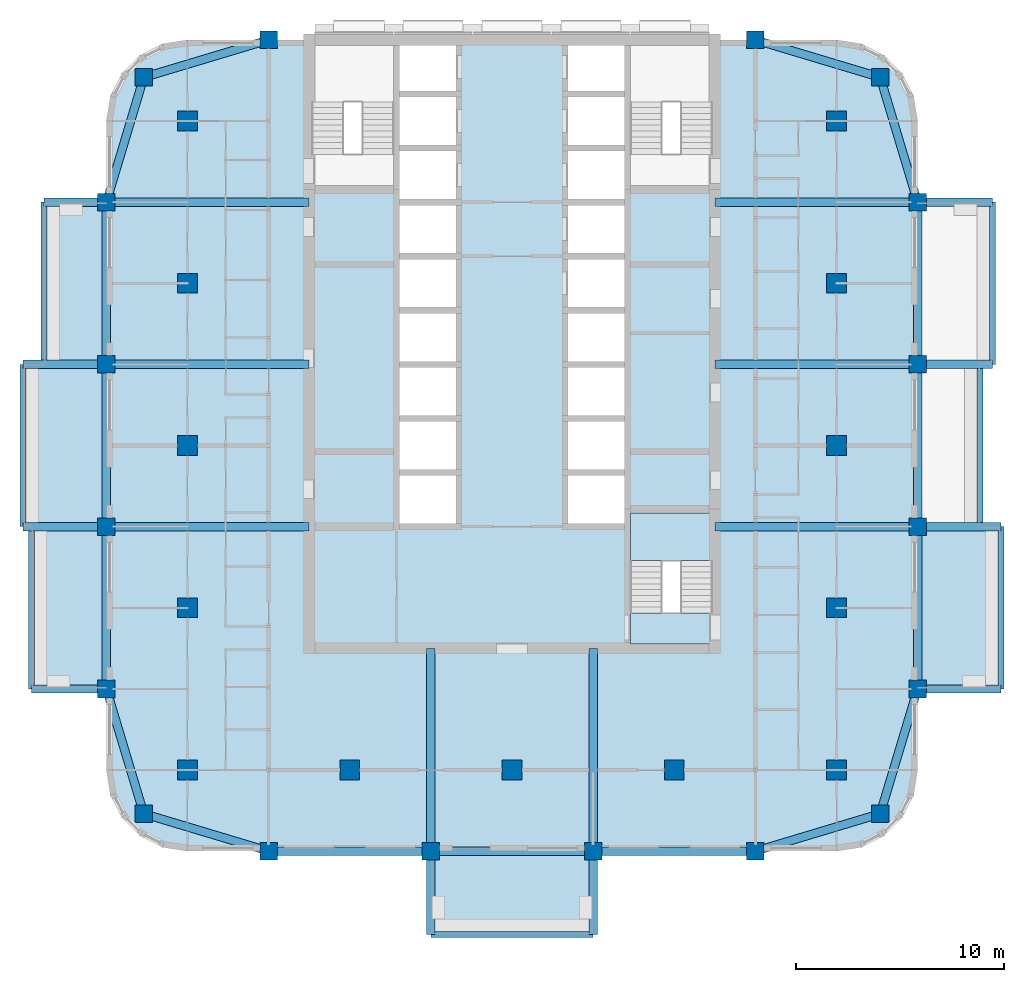
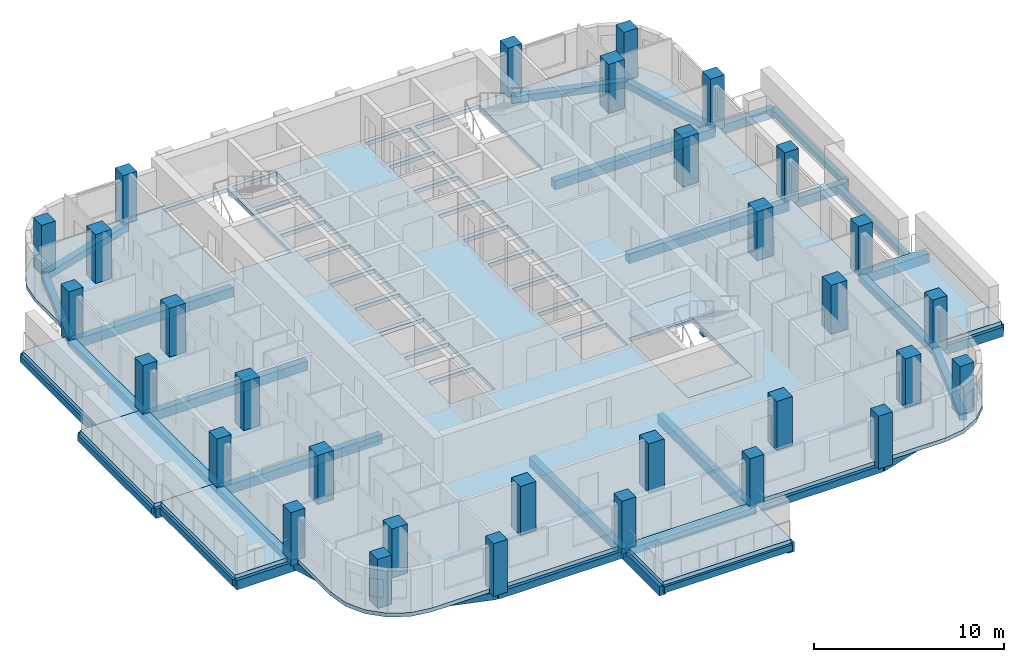
# One storey, part 1 of 12: 42 beams, 31 columns, 8 slabs, 1 element without a shape of its own.
"""IFC4 building model written with IfcOpenShell, lengths in metres."""

import ifcopenshell
import ifcopenshell.guid

model = None  # the IFC model being written
_history = None  # IfcOwnerHistory: only IFC2X3 demands one
_inside = {}  # id of a spatial element -> (the spatial element, [elements in it])
_under = {}  # id of a project, library or spatial element -> (it, [spatial elements below it])
_declared = {}  # id of a project -> (the project, [libraries it declares])
_typed = {}  # id of a type object -> (the type object, [elements of that type])
_made_of = {}  # id of a material, layer set ... -> (it, [elements and type objects made of it])


def new_model(schema):
    """Start an empty IFC model of exactly this schema.

    Asked for "IFC4X3", IfcOpenShell would pick the latest addendum, in which some entities
    have other attributes; the version numbers below select the first issue.
    IFC2X3 requires an IfcOwnerHistory on every rooted entity: one is made here for all.
    """
    global model, _history
    if schema == "IFC4X3":
        model = ifcopenshell.file(schema_version=(4, 3, 0, 0))
    else:
        model = ifcopenshell.file(schema=schema)
    _inside.clear()
    _under.clear()
    _declared.clear()
    _typed.clear()
    _made_of.clear()
    _history = None
    if model.schema == "IFC2X3":
        org = make("IfcOrganization", Name="unknown")
        user = make(
            "IfcPersonAndOrganization",
            ThePerson=make("IfcPerson", FamilyName="unknown"),
            TheOrganization=org,
        )
        app = make(
            "IfcApplication",
            ApplicationDeveloper=org,
            Version="unknown",
            ApplicationFullName="unknown",
            ApplicationIdentifier="unknown",
        )
        _history = make(
            "IfcOwnerHistory",
            OwningUser=user,
            OwningApplication=app,
            ChangeAction="ADDED",
            CreationDate=0,
        )
    return model


def make(cls, **values):
    """One entity of the class cls with the attributes given. An attribute that is None is left unset."""
    return model.create_entity(
        cls, **{name: value for name, value in values.items() if value is not None}
    )


def rooted(cls, **values):
    """An entity with a GlobalId (a new one), such as an element, a storey or a relation."""
    return make(cls, GlobalId=ifcopenshell.guid.new(), OwnerHistory=_history, **values)


def si_unit(unit_type, name, prefix=None):
    """IfcSIUnit, for example si_unit("LENGTHUNIT", "METRE", prefix="MILLI")."""
    return make("IfcSIUnit", UnitType=unit_type, Prefix=prefix, Name=name)


def assignment(units):
    """IfcUnitAssignment: the units of a project."""
    return None if units is None else make("IfcUnitAssignment", Units=units)


def point(xyz):
    """IfcCartesianPoint."""
    return None if xyz is None else make("IfcCartesianPoint", Coordinates=xyz)


def direction(xyz):
    """IfcDirection."""
    return None if xyz is None else make("IfcDirection", DirectionRatios=xyz)


def frame(location, z_axis=None, x_axis=None):
    """IfcAxis2Placement3D, a coordinate frame: its origin and axes. An axis left out is left unset."""
    return make(
        "IfcAxis2Placement3D",
        Location=point(location),
        Axis=direction(z_axis),
        RefDirection=direction(x_axis),
    )


def frame_2d(location, x_axis=None):
    """IfcAxis2Placement2D, a coordinate frame in the plane: its origin and x axis."""
    return make(
        "IfcAxis2Placement2D", Location=point(location), RefDirection=direction(x_axis)
    )


def origin():
    """The frame at (0, 0, 0) with its axes left unset."""
    return frame((0.0, 0.0, 0.0))


def origin_2d():
    """The frame at (0, 0) in the plane with its x axis left unset."""
    return frame_2d((0.0, 0.0))


def place(relative_to, where):
    """IfcLocalPlacement: puts the frame where relative to a parent placement (None: the world)."""
    return make(
        "IfcLocalPlacement", PlacementRelTo=relative_to, RelativePlacement=where
    )


def context(
    kind, dimensions, precision=None, world=None, true_north=None, identifier=None
):
    """IfcGeometricRepresentationContext, for example the 3D "Model" context."""
    return make(
        "IfcGeometricRepresentationContext",
        ContextIdentifier=identifier,
        ContextType=kind,
        CoordinateSpaceDimension=dimensions,
        Precision=precision,
        WorldCoordinateSystem=world,
        TrueNorth=true_north,
    )


def subcontext(parent, identifier, kind, view, scale=None):
    """IfcGeometricRepresentationSubContext, for example "Body" below "Model"."""
    return make(
        "IfcGeometricRepresentationSubContext",
        ContextIdentifier=identifier,
        ContextType=kind,
        ParentContext=parent,
        TargetScale=scale,
        TargetView=view,
    )


def project(units=None, contexts=None):
    """IfcProject with its units and contexts."""
    return rooted(
        "IfcProject",
        Name="project",
        RepresentationContexts=contexts,
        UnitsInContext=assignment(units),
    )


def spatial(cls, under=None, at=None, **own):
    """A site, building, storey or space (cls), placed at a placement, below another one or the project."""
    s = rooted(cls, ObjectPlacement=at, **own)
    if under is not None:
        _under.setdefault(under.id(), (under, []))[1].append(s)
    return s


def polyline(points):
    """IfcPolyline through the points."""
    return make("IfcPolyline", Points=[point(p) for p in points])


def profile(cls, at=None, kind="AREA", **sizes):
    """A parametric profile (cls). Its sizes go by their IFC names, for example OverallWidth=200.0."""
    return make(cls, ProfileType=kind, Position=at, **sizes)


def rectangle(**sizes):
    """IfcRectangleProfileDef."""
    return profile("IfcRectangleProfileDef", **sizes)


def outline(outer, holes=None, kind="AREA"):
    """IfcArbitraryClosedProfileDef: a profile drawn as a closed curve; with holes, ...WithVoids."""
    if holes is None:
        return make("IfcArbitraryClosedProfileDef", ProfileType=kind, OuterCurve=outer)
    return make(
        "IfcArbitraryProfileDefWithVoids",
        ProfileType=kind,
        OuterCurve=outer,
        InnerCurves=holes,
    )


def extrude(swept, where, along, depth):
    """IfcExtrudedAreaSolid: the profile swept, set in the frame where, extruded along a direction by depth."""
    return make(
        "IfcExtrudedAreaSolid",
        SweptArea=swept,
        Position=where,
        ExtrudedDirection=direction(along),
        Depth=depth,
    )


def shape(context_of_items, identifier, shape_type, items):
    """IfcShapeRepresentation: the items that make up one representation, for example the "Body"."""
    return make(
        "IfcShapeRepresentation",
        ContextOfItems=context_of_items,
        RepresentationIdentifier=identifier,
        RepresentationType=shape_type,
        Items=items,
    )


def material(Name=None, Category=None):
    """IfcMaterial."""
    return make("IfcMaterial", Name=Name, Category=Category)


def layer(
    of_material, thickness, ventilated=None, Name=None, Category=None, Priority=None
):
    """IfcMaterialLayer: one layer of a wall or slab, of a material (None: an air gap)."""
    return make(
        "IfcMaterialLayer",
        Material=of_material,
        LayerThickness=thickness,
        IsVentilated=ventilated,
        Name=Name,
        Category=Category,
        Priority=Priority,
    )


def layer_set(layers, Name=None):
    """IfcMaterialLayerSet."""
    return make("IfcMaterialLayerSet", MaterialLayers=layers, LayerSetName=Name)


def material_profile(
    of_material, cross_section, Name=None, Category=None, Priority=None
):
    """IfcMaterialProfile: a cross section and its material."""
    return make(
        "IfcMaterialProfile",
        Name=Name,
        Material=of_material,
        Profile=cross_section,
        Priority=Priority,
        Category=Category,
    )


def profile_set(profiles, Name=None, composite=None):
    """IfcMaterialProfileSet."""
    return make(
        "IfcMaterialProfileSet",
        Name=Name,
        MaterialProfiles=profiles,
        CompositeProfile=composite,
    )


def made_of(thing, what):
    """Note that an element or type object is made of a material, layer set ...; save() writes the relation."""
    if what is not None:
        _made_of.setdefault(what.id(), (what, []))[1].append(thing)
    return thing


def type_object(cls, material=None, **own):
    """A type object (cls), such as IfcWallType, which elements share."""
    return made_of(rooted(cls, **own), material)


def element(
    cls,
    number,
    at=None,
    inside=None,
    cuts=None,
    type_object=None,
    material=None,
    context=None,
    identifier="Body",
    shape_type=None,
    held_by="IfcProductDefinitionShape",
    body=None,
    shapes=None,
    **own,
):
    """One element of the class cls, such as IfcWall. Its Tag is "e" and its number.

    at: its placement. inside: the storey or other place that contains it. cuts: it is an
    opening in that element (IfcRelVoidsElement). A single representation is given by context,
    identifier, shape_type and body (its items); several are given by shapes. held_by: the class
    of the entity that holds the representations. save() writes the other relations.
    """
    e = rooted(cls, Tag="e%d" % number, ObjectPlacement=at, **own)
    if body is not None:
        shapes = [shape(context, identifier, shape_type, body)]
    if shapes is not None:
        e.Representation = make(held_by, Representations=shapes)
    if inside is not None:
        _inside.setdefault(inside.id(), (inside, []))[1].append(e)
    if cuts is not None:
        rooted(
            "IfcRelVoidsElement", RelatingBuildingElement=cuts, RelatedOpeningElement=e
        )
    if type_object is not None:
        _typed.setdefault(type_object.id(), (type_object, []))[1].append(e)
    return made_of(e, material)


def aggregate(whole, parts):
    """IfcRelAggregates: a whole, such as a stair, and the parts it consists of."""
    return rooted("IfcRelAggregates", RelatingObject=whole, RelatedObjects=parts)


def save(model, path):
    """Write the relations noted so far, then the file.

    IfcRelAggregates (storeys below a building ...), IfcRelContainedInSpatialStructure (elements
    in a storey), IfcRelDefinesByType, IfcRelAssociatesMaterial and IfcRelDeclares: one each for
    every whole, place, type object, material and project.
    """
    for whole, parts in _under.values():
        aggregate(whole, parts)
    for where, things in _inside.values():
        rooted(
            "IfcRelContainedInSpatialStructure",
            RelatedElements=things,
            RelatingStructure=where,
        )
    for kind, things in _typed.values():
        rooted("IfcRelDefinesByType", RelatedObjects=things, RelatingType=kind)
    for what, things in _made_of.values():
        rooted("IfcRelAssociatesMaterial", RelatedObjects=things, RelatingMaterial=what)
    for by, libraries in _declared.values():
        rooted("IfcRelDeclares", RelatingContext=by, RelatedDefinitions=libraries)
    model.write(path)


model = new_model("IFC4")

# Units and contexts
model_context = context("Model", 3, precision=1e-05, world=origin(), true_north=direction((0.0, 1.0)))
body_context = subcontext(model_context, "Body", "Model", "MODEL_VIEW")
ifc_project = project(units=[si_unit("LENGTHUNIT", "METRE"), si_unit("AREAUNIT", "SQUARE_METRE"), si_unit("VOLUMEUNIT", "CUBIC_METRE"), si_unit("PLANEANGLEUNIT", "RADIAN"), si_unit("MASSUNIT", "GRAM", prefix="KILO")], contexts=[model_context])

# Site, building, storey
site_placement = place(None, origin())
site = spatial("IfcSite", under=ifc_project, at=site_placement, CompositionType="ELEMENT")
building_placement = place(site_placement, origin())
building = spatial("IfcBuilding", under=site, at=building_placement, Name="Ludao Terraces", CompositionType="ELEMENT")
storey_placement = place(building_placement, frame((0.0, 0.0, 137.300048828125)))
storey = spatial("IfcBuildingStorey", under=building, at=storey_placement, Name="L37", CompositionType="ELEMENT", Elevation=137.300048828125)

# Columns
ifc_material_1 = material(Name="Concrete C50", Category="concrete")
ifc_material_profile_1 = material_profile(ifc_material_1, rectangle(XDim=0.85009765625, YDim=0.85009765625, at=origin_2d()), Name="850 X 850")
ifc_profile_set_1 = profile_set([ifc_material_profile_1], Name="Concrete C50")
column_type_1 = type_object("IfcColumnType", Name="RC column 850x850 C50", PredefinedType="COLUMN", material=ifc_profile_set_1)
for number, where, z_axis, x_axis, name in (
    (1, (67.300048828125, 47.300048828125, -0.25), (0.0, 0.0, 1.0), (1.0, 0.0, 0.0), "Column L37 C0057x0057"),
    (2, (102.699951171875, 47.300048828125, -0.25), (0.0, 0.0, 1.0), (1.0, 0.0, 0.0), "Column L37 C0411x0057"),
    (3, (67.300048828125, 82.699951171875, -0.25), (0.0, 0.0, 1.0), (1.0, 0.0, 0.0), "Column L37 C0057x0411"),
    (4, (102.699951171875, 82.699951171875, -0.25), (0.0, 0.0, 1.0), (1.0, 0.0, 0.0), "Column L37 C0411x0411"),
    (5, (65.5, 53.300048828125, -0.25), (0.0, 0.0, 1.0), (1.0, 0.0, 0.0), "Column L37 W0039x0117"),
    (6, (104.5, 53.300048828125, -0.25), (0.0, 0.0, 1.0), (1.0, 0.0, 0.0), "Column L37 W0429x0117"),
    (7, (73.300048828125, 45.5, -0.25), (0.0, 0.0, 1.0), (1.0, 0.0, 0.0), "Column L37 W0117x0039"),
    (8, (73.300048828125, 84.5, -0.25), (0.0, 0.0, 1.0), (1.0, 0.0, 0.0), "Column L37 W0117x0429"),
    (9, (65.5, 61.10009765625, -0.25), (0.0, 0.0, 1.0), (1.0, 0.0, 0.0), "Column L37 W0039x0195"),
    (10, (104.5, 61.10009765625, -0.25), (0.0, 0.0, 1.0), (1.0, 0.0, 0.0), "Column L37 W0429x0195"),
    (11, (81.10009765625, 45.5, -0.25), (0.0, 0.0, 1.0), (1.0, 0.0, 0.0), "Column L37 W0195x0039"),
    (12, (65.5, 68.89990234375, -0.25), (0.0, 0.0, 1.0), (1.0, 0.0, 0.0), "Column L37 W0039x0273"),
    (13, (104.5, 68.89990234375, -0.25), (0.0, 0.0, 1.0), (1.0, 0.0, 0.0), "Column L37 W0429x0273"),
    (14, (88.89990234375, 45.5, -0.25), (0.0, 0.0, 1.0), (1.0, 0.0, 0.0), "Column L37 W0273x0039"),
    (15, (65.5, 76.699951171875, -0.25), (0.0, 0.0, 1.0), (1.0, 0.0, 0.0), "Column L37 W0039x0351"),
    (16, (104.5, 76.699951171875, -0.25), (0.0, 0.0, 1.0), (1.0, 0.0, 0.0), "Column L37 W0429x0351"),
    (17, (96.699951171875, 45.5, -0.25), (0.0, 0.0, 1.0), (1.0, 0.0, 0.0), "Column L37 W0351x0039"),
    (18, (96.699951171875, 84.5, -0.25), (0.0, 0.0, 1.0), (1.0, 0.0, 0.0), "Column L37 W0351x0429"),
):
    element("IfcColumn", number, at=place(storey_placement, frame(where, z_axis=z_axis, x_axis=x_axis)), inside=storey, type_object=column_type_1, Name=name, PredefinedType="COLUMN", context=body_context, shape_type="SweptSolid", body=[
        extrude(rectangle(XDim=0.85009765625, YDim=0.85009765625, at=origin_2d()), origin(), (0.0, 0.0, 1.0), 3.39990234375),
    ])
ifc_material_profile_2 = material_profile(ifc_material_1, rectangle(XDim=0.949951171875, YDim=0.949951171875, at=origin_2d()), Name="950 X 950")
ifc_profile_set_2 = profile_set([ifc_material_profile_2], Name="Concrete C50")
column_type_2 = type_object("IfcColumnType", Name="RC column 950x950 C50", PredefinedType="COLUMN", material=ifc_profile_set_2)
for number, where, z_axis, x_axis, name in (
    (19, (69.39990234375, 49.39990234375, -0.25), (0.0, 0.0, 1.0), (1.0, 0.0, 0.0), "Column L37 S0078x0078"),
    (20, (69.39990234375, 57.199951171875, -0.25), (0.0, 0.0, 1.0), (1.0, 0.0, 0.0), "Column L37 S0078x0156"),
    (21, (69.39990234375, 65.0, -0.25), (0.0, 0.0, 1.0), (1.0, 0.0, 0.0), "Column L37 S0078x0234"),
    (22, (69.39990234375, 72.800048828125, -0.25), (0.0, 0.0, 1.0), (1.0, 0.0, 0.0), "Column L37 S0078x0312"),
    (23, (69.39990234375, 80.60009765625, -0.25), (0.0, 0.0, 1.0), (1.0, 0.0, 0.0), "Column L37 S0078x0390"),
    (24, (77.199951171875, 49.39990234375, -0.25), (0.0, 0.0, 1.0), (1.0, 0.0, 0.0), "Column L37 S0156x0078"),
    (25, (85.0, 49.39990234375, -0.25), (0.0, 0.0, 1.0), (1.0, 0.0, 0.0), "Column L37 S0234x0078"),
    (26, (92.800048828125, 49.39990234375, -0.25), (0.0, 0.0, 1.0), (1.0, 0.0, 0.0), "Column L37 S0312x0078"),
    (27, (100.60009765625, 49.39990234375, -0.25), (0.0, 0.0, 1.0), (1.0, 0.0, 0.0), "Column L37 S0390x0078"),
    (28, (100.60009765625, 57.199951171875, -0.25), (0.0, 0.0, 1.0), (1.0, 0.0, 0.0), "Column L37 S0390x0156"),
    (29, (100.60009765625, 65.0, -0.25), (0.0, 0.0, 1.0), (1.0, 0.0, 0.0), "Column L37 S0390x0234"),
    (30, (100.60009765625, 72.800048828125, -0.25), (0.0, 0.0, 1.0), (1.0, 0.0, 0.0), "Column L37 S0390x0312"),
    (31, (100.60009765625, 80.60009765625, -0.25), (0.0, 0.0, 1.0), (1.0, 0.0, 0.0), "Column L37 S0390x0390"),
):
    element("IfcColumn", number, at=place(storey_placement, frame(where, z_axis=z_axis, x_axis=x_axis)), inside=storey, type_object=column_type_2, Name=name, PredefinedType="COLUMN", context=body_context, shape_type="SweptSolid", body=[
        extrude(rectangle(XDim=0.949951171875, YDim=0.949951171875, at=origin_2d()), origin(), (0.0, 0.0, 1.0), 3.39990234375),
    ])

# Beams
ifc_material_2 = material(Name="Concrete C40", Category="concrete")
ifc_material_profile_3 = material_profile(ifc_material_2, rectangle(XDim=0.300048828125, YDim=0.39990234375, at=origin_2d()), Name="300 X 400")
ifc_profile_set_3 = profile_set([ifc_material_profile_3], Name="Concrete C40")
beam_type_1 = type_object("IfcBeamType", Name="RC beam 300x400 C40", PredefinedType="BEAM", material=ifc_profile_set_3)
beam_1_placement = place(storey_placement, frame((81.10009765625, 41.5, -0.449951171875), z_axis=(1.0, 0.0, 0.0), x_axis=(0.0, 1.0, 0.0)))
element("IfcBeam", 32, at=beam_1_placement, inside=storey, type_object=beam_type_1, Name="Balcony edge beam L37 S1", PredefinedType="BEAM", context=body_context, shape_type="SweptSolid", body=[
    extrude(rectangle(XDim=0.300048828125, YDim=0.39990234375, at=origin_2d()), origin(), (0.0, 0.0, 1.0), 7.7998046875),
])
beam_2_placement = place(storey_placement, frame((108.5, 53.300048828125, -0.449951171875), z_axis=(0.0, 1.0, 0.0), x_axis=(-1.0, 0.0, 0.0)))
element("IfcBeam", 33, at=beam_2_placement, inside=storey, type_object=beam_type_1, Name="Balcony edge beam L37 E1", PredefinedType="BEAM", context=body_context, shape_type="SweptSolid", body=[
    extrude(rectangle(XDim=0.300048828125, YDim=0.39990234375, at=origin_2d()), origin(), (0.0, 0.0, 1.0), 7.800048828125),
])
beam_3_placement = place(storey_placement, frame((107.5, 61.10009765625, -0.449951171875), z_axis=(0.0, 1.0, 0.0), x_axis=(-1.0, 0.0, 0.0)))
element("IfcBeam", 34, at=beam_3_placement, inside=storey, type_object=beam_type_1, Name="Balcony edge beam L37 E2", PredefinedType="BEAM", context=body_context, shape_type="SweptSolid", body=[
    extrude(rectangle(XDim=0.300048828125, YDim=0.39990234375, at=origin_2d()), origin(), (0.0, 0.0, 1.0), 7.7998046875),
])
for number, where, z_axis, x_axis, name in (
    (35, (108.10009765625, 68.89990234375, -0.449951171875), (0.0, 1.0, 0.0), (-1.0, 0.0, 0.0), "Balcony edge beam L37 E3"),
    (36, (61.89990234375, 53.300048828125, -0.449951171875), (0.0, 1.0, 0.0), (-1.0, 0.0, 0.0), "Balcony edge beam L37 W1"),
):
    element("IfcBeam", number, at=place(storey_placement, frame(where, z_axis=z_axis, x_axis=x_axis)), inside=storey, type_object=beam_type_1, Name=name, PredefinedType="BEAM", context=body_context, shape_type="SweptSolid", body=[
        extrude(rectangle(XDim=0.300048828125, YDim=0.39990234375, at=origin_2d()), origin(), (0.0, 0.0, 1.0), 7.800048828125),
    ])
beam_4_placement = place(storey_placement, frame((61.5, 61.10009765625, -0.449951171875), z_axis=(0.0, 1.0, 0.0), x_axis=(-1.0, 0.0, 0.0)))
element("IfcBeam", 37, at=beam_4_placement, inside=storey, type_object=beam_type_1, Name="Balcony edge beam L37 W2", PredefinedType="BEAM", context=body_context, shape_type="SweptSolid", body=[
    extrude(rectangle(XDim=0.300048828125, YDim=0.39990234375, at=origin_2d()), origin(), (0.0, 0.0, 1.0), 7.7998046875),
])
beam_5_placement = place(storey_placement, frame((62.5, 68.89990234375, -0.449951171875), z_axis=(0.0, 1.0, 0.0), x_axis=(-1.0, 0.0, 0.0)))
element("IfcBeam", 38, at=beam_5_placement, inside=storey, type_object=beam_type_1, Name="Balcony edge beam L37 W3", PredefinedType="BEAM", context=body_context, shape_type="SweptSolid", body=[
    extrude(rectangle(XDim=0.300048828125, YDim=0.39990234375, at=origin_2d()), origin(), (0.0, 0.0, 1.0), 7.800048828125),
])
ifc_material_profile_4 = material_profile(ifc_material_2, rectangle(XDim=0.39990234375, YDim=0.449951171875, at=origin_2d()), Name="400 X 450")
ifc_profile_set_4 = profile_set([ifc_material_profile_4], Name="Concrete C40")
beam_type_2 = type_object("IfcBeamType", Name="RC beam 400x450 C40", PredefinedType="BEAM", material=ifc_profile_set_4)
beam_6_placement = place(storey_placement, frame((67.300048828125, 47.300048828125, -0.47509765625), z_axis=(0.957824139839, -0.287355036744, 0.0), x_axis=(0.287355036744, 0.957824139839, 0.0)))
element("IfcBeam", 39, at=beam_6_placement, inside=storey, type_object=beam_type_2, Name="Spandrel beam L37 S1", PredefinedType="BEAM", context=body_context, shape_type="SweptSolid", body=[
    extrude(rectangle(XDim=0.39990234375, YDim=0.449951171875, at=origin_2d()), origin(), (0.0, 0.0, 1.0), 6.26416015625),
])
beam_7_placement = place(storey_placement, frame((73.300048828125, 45.5, -0.47509765625), z_axis=(1.0, 0.0, 0.0), x_axis=(0.0, 1.0, 0.0)))
element("IfcBeam", 40, at=beam_7_placement, inside=storey, type_object=beam_type_2, Name="Spandrel beam L37 S2", PredefinedType="BEAM", context=body_context, shape_type="SweptSolid", body=[
    extrude(rectangle(XDim=0.39990234375, YDim=0.449951171875, at=origin_2d()), origin(), (0.0, 0.0, 1.0), 7.800048828125),
])
beam_8_placement = place(storey_placement, frame((81.10009765625, 45.5, -0.47509765625), z_axis=(1.0, 0.0, 0.0), x_axis=(0.0, 1.0, 0.0)))
element("IfcBeam", 41, at=beam_8_placement, inside=storey, type_object=beam_type_2, Name="Spandrel beam L37 S3", PredefinedType="BEAM", context=body_context, shape_type="SweptSolid", body=[
    extrude(rectangle(XDim=0.39990234375, YDim=0.449951171875, at=origin_2d()), origin(), (0.0, 0.0, 1.0), 7.7998046875),
])
beam_9_placement = place(storey_placement, frame((88.89990234375, 45.5, -0.47509765625), z_axis=(1.0, 0.0, 0.0), x_axis=(0.0, 1.0, 0.0)))
element("IfcBeam", 42, at=beam_9_placement, inside=storey, type_object=beam_type_2, Name="Spandrel beam L37 S4", PredefinedType="BEAM", context=body_context, shape_type="SweptSolid", body=[
    extrude(rectangle(XDim=0.39990234375, YDim=0.449951171875, at=origin_2d()), origin(), (0.0, 0.0, 1.0), 7.800048828125),
])
for number, where, z_axis, x_axis, name in (
    (43, (96.699951171875, 45.5, -0.47509765625), (0.957824139839, 0.287355036744, 0.0), (-0.287355036744, 0.957824139839, 0.0), "Spandrel beam L37 S5"),
    (44, (67.300048828125, 82.699951171875, -0.47509765625), (0.957824139839, 0.287355036744, 0.0), (-0.287355036744, 0.957824139839, 0.0), "Spandrel beam L37 N6"),
    (45, (96.699951171875, 84.5, -0.47509765625), (0.957824139839, -0.287355036744, 0.0), (0.287355036744, 0.957824139839, 0.0), "Spandrel beam L37 N7"),
    (46, (67.300048828125, 47.300048828125, -0.47509765625), (-0.287355036744, 0.957824139839, 0.0), (-0.957824139839, -0.287355036744, 0.0), "Spandrel beam L37 W8"),
):
    element("IfcBeam", number, at=place(storey_placement, frame(where, z_axis=z_axis, x_axis=x_axis)), inside=storey, type_object=beam_type_2, Name=name, PredefinedType="BEAM", context=body_context, shape_type="SweptSolid", body=[
        extrude(rectangle(XDim=0.39990234375, YDim=0.449951171875, at=origin_2d()), origin(), (0.0, 0.0, 1.0), 6.26416015625),
    ])
beam_10_placement = place(storey_placement, frame((65.5, 53.300048828125, -0.47509765625), z_axis=(0.0, 1.0, 0.0), x_axis=(-1.0, 0.0, 0.0)))
element("IfcBeam", 47, at=beam_10_placement, inside=storey, type_object=beam_type_2, Name="Spandrel beam L37 W9", PredefinedType="BEAM", context=body_context, shape_type="SweptSolid", body=[
    extrude(rectangle(XDim=0.39990234375, YDim=0.449951171875, at=origin_2d()), origin(), (0.0, 0.0, 1.0), 7.800048828125),
])
beam_11_placement = place(storey_placement, frame((65.5, 61.10009765625, -0.47509765625), z_axis=(0.0, 1.0, 0.0), x_axis=(-1.0, 0.0, 0.0)))
element("IfcBeam", 48, at=beam_11_placement, inside=storey, type_object=beam_type_2, Name="Spandrel beam L37 W10", PredefinedType="BEAM", context=body_context, shape_type="SweptSolid", body=[
    extrude(rectangle(XDim=0.39990234375, YDim=0.449951171875, at=origin_2d()), origin(), (0.0, 0.0, 1.0), 7.7998046875),
])
beam_12_placement = place(storey_placement, frame((65.5, 68.89990234375, -0.47509765625), z_axis=(0.0, 1.0, 0.0), x_axis=(-1.0, 0.0, 0.0)))
element("IfcBeam", 49, at=beam_12_placement, inside=storey, type_object=beam_type_2, Name="Spandrel beam L37 W11", PredefinedType="BEAM", context=body_context, shape_type="SweptSolid", body=[
    extrude(rectangle(XDim=0.39990234375, YDim=0.449951171875, at=origin_2d()), origin(), (0.0, 0.0, 1.0), 7.800048828125),
])
for number, where, z_axis, x_axis, name in (
    (50, (65.5, 76.699951171875, -0.47509765625), (0.287355036744, 0.957824139839, 0.0), (-0.957824139839, 0.287355036744, 0.0), "Spandrel beam L37 W12"),
    (51, (102.699951171875, 47.300048828125, -0.47509765625), (0.287355036744, 0.957824139839, 0.0), (-0.957824139839, 0.287355036744, 0.0), "Spandrel beam L37 E13"),
):
    element("IfcBeam", number, at=place(storey_placement, frame(where, z_axis=z_axis, x_axis=x_axis)), inside=storey, type_object=beam_type_2, Name=name, PredefinedType="BEAM", context=body_context, shape_type="SweptSolid", body=[
        extrude(rectangle(XDim=0.39990234375, YDim=0.449951171875, at=origin_2d()), origin(), (0.0, 0.0, 1.0), 6.26416015625),
    ])
beam_13_placement = place(storey_placement, frame((104.5, 53.300048828125, -0.47509765625), z_axis=(0.0, 1.0, 0.0), x_axis=(-1.0, 0.0, 0.0)))
element("IfcBeam", 52, at=beam_13_placement, inside=storey, type_object=beam_type_2, Name="Spandrel beam L37 E14", PredefinedType="BEAM", context=body_context, shape_type="SweptSolid", body=[
    extrude(rectangle(XDim=0.39990234375, YDim=0.449951171875, at=origin_2d()), origin(), (0.0, 0.0, 1.0), 7.800048828125),
])
beam_14_placement = place(storey_placement, frame((104.5, 61.10009765625, -0.47509765625), z_axis=(0.0, 1.0, 0.0), x_axis=(-1.0, 0.0, 0.0)))
element("IfcBeam", 53, at=beam_14_placement, inside=storey, type_object=beam_type_2, Name="Spandrel beam L37 E15", PredefinedType="BEAM", context=body_context, shape_type="SweptSolid", body=[
    extrude(rectangle(XDim=0.39990234375, YDim=0.449951171875, at=origin_2d()), origin(), (0.0, 0.0, 1.0), 7.7998046875),
])
beam_15_placement = place(storey_placement, frame((104.5, 68.89990234375, -0.47509765625), z_axis=(0.0, 1.0, 0.0), x_axis=(-1.0, 0.0, 0.0)))
element("IfcBeam", 54, at=beam_15_placement, inside=storey, type_object=beam_type_2, Name="Spandrel beam L37 E16", PredefinedType="BEAM", context=body_context, shape_type="SweptSolid", body=[
    extrude(rectangle(XDim=0.39990234375, YDim=0.449951171875, at=origin_2d()), origin(), (0.0, 0.0, 1.0), 7.800048828125),
])
beam_16_placement = place(storey_placement, frame((104.5, 76.699951171875, -0.47509765625), z_axis=(-0.287355036744, 0.957824139839, 0.0), x_axis=(-0.957824139839, -0.287355036744, 0.0)))
element("IfcBeam", 55, at=beam_16_placement, inside=storey, type_object=beam_type_2, Name="Spandrel beam L37 E17", PredefinedType="BEAM", context=body_context, shape_type="SweptSolid", body=[
    extrude(rectangle(XDim=0.39990234375, YDim=0.449951171875, at=origin_2d()), origin(), (0.0, 0.0, 1.0), 6.26416015625),
])
ifc_material_profile_5 = material_profile(ifc_material_2, rectangle(XDim=0.39990234375, YDim=0.60009765625, at=origin_2d()), Name="400 X 600")
ifc_profile_set_5 = profile_set([ifc_material_profile_5], Name="Concrete C40")
beam_type_3 = type_object("IfcBeamType", Name="RC beam 400x600 C40", PredefinedType="BEAM", material=ifc_profile_set_5)
beam_17_placement = place(storey_placement, frame((104.5, 53.300048828125, -0.550048828125), z_axis=(1.0, 0.0, 0.0), x_axis=(0.0, 1.0, 0.0)))
element("IfcBeam", 56, at=beam_17_placement, inside=storey, type_object=beam_type_3, Name="Balcony beam L37 E533", PredefinedType="BEAM", context=body_context, shape_type="SweptSolid", body=[
    extrude(rectangle(XDim=0.39990234375, YDim=0.60009765625, at=origin_2d()), origin(), (0.0, 0.0, 1.0), 4.0),
])
beam_18_placement = place(storey_placement, frame((94.75, 61.10009765625, -0.550048828125), z_axis=(1.0, 0.0, 0.0), x_axis=(0.0, 1.0, 0.0)))
element("IfcBeam", 57, at=beam_18_placement, inside=storey, type_object=beam_type_3, Name="Balcony beam L37 E611", PredefinedType="BEAM", context=body_context, shape_type="SweptSolid", body=[
    extrude(rectangle(XDim=0.39990234375, YDim=0.60009765625, at=origin_2d()), origin(), (0.0, 0.0, 1.0), 9.75),
])
beam_19_placement = place(storey_placement, frame((104.5, 61.10009765625, -0.550048828125), z_axis=(1.0, 0.0, 0.0), x_axis=(0.0, 1.0, 0.0)))
element("IfcBeam", 58, at=beam_19_placement, inside=storey, type_object=beam_type_3, Name="Balcony beam L37 E611", PredefinedType="BEAM", context=body_context, shape_type="SweptSolid", body=[
    extrude(rectangle(XDim=0.39990234375, YDim=0.60009765625, at=origin_2d()), origin(), (0.0, 0.0, 1.0), 4.0),
])
beam_20_placement = place(storey_placement, frame((94.75, 68.89990234375, -0.550048828125), z_axis=(1.0, 0.0, 0.0), x_axis=(0.0, 1.0, 0.0)))
element("IfcBeam", 59, at=beam_20_placement, inside=storey, type_object=beam_type_3, Name="Balcony beam L37 E689", PredefinedType="BEAM", context=body_context, shape_type="SweptSolid", body=[
    extrude(rectangle(XDim=0.39990234375, YDim=0.60009765625, at=origin_2d()), origin(), (0.0, 0.0, 1.0), 9.75),
])
beam_21_placement = place(storey_placement, frame((104.5, 68.89990234375, -0.550048828125), z_axis=(1.0, 0.0, 0.0), x_axis=(0.0, 1.0, 0.0)))
element("IfcBeam", 60, at=beam_21_placement, inside=storey, type_object=beam_type_3, Name="Balcony beam L37 E689", PredefinedType="BEAM", context=body_context, shape_type="SweptSolid", body=[
    extrude(rectangle(XDim=0.39990234375, YDim=0.60009765625, at=origin_2d()), origin(), (0.0, 0.0, 1.0), 3.60009765625),
])
beam_22_placement = place(storey_placement, frame((94.75, 76.699951171875, -0.550048828125), z_axis=(1.0, 0.0, 0.0), x_axis=(0.0, 1.0, 0.0)))
element("IfcBeam", 61, at=beam_22_placement, inside=storey, type_object=beam_type_3, Name="Balcony beam L37 E767", PredefinedType="BEAM", context=body_context, shape_type="SweptSolid", body=[
    extrude(rectangle(XDim=0.39990234375, YDim=0.60009765625, at=origin_2d()), origin(), (0.0, 0.0, 1.0), 9.75),
])
beam_23_placement = place(storey_placement, frame((104.5, 76.699951171875, -0.550048828125), z_axis=(1.0, 0.0, 0.0), x_axis=(0.0, 1.0, 0.0)))
element("IfcBeam", 62, at=beam_23_placement, inside=storey, type_object=beam_type_3, Name="Balcony beam L37 E767", PredefinedType="BEAM", context=body_context, shape_type="SweptSolid", body=[
    extrude(rectangle(XDim=0.39990234375, YDim=0.60009765625, at=origin_2d()), origin(), (0.0, 0.0, 1.0), 3.60009765625),
])
beam_24_placement = place(storey_placement, frame((81.10009765625, 55.25, -0.550048828125), z_axis=(0.0, -1.0, 0.0), x_axis=(1.0, 0.0, 0.0)))
element("IfcBeam", 63, at=beam_24_placement, inside=storey, type_object=beam_type_3, Name="Balcony beam L37 S811", PredefinedType="BEAM", context=body_context, shape_type="SweptSolid", body=[
    extrude(rectangle(XDim=0.39990234375, YDim=0.60009765625, at=origin_2d()), origin(), (0.0, 0.0, 1.0), 9.75),
])
beam_25_placement = place(storey_placement, frame((81.10009765625, 45.5, -0.550048828125), z_axis=(0.0, -1.0, 0.0), x_axis=(1.0, 0.0, 0.0)))
element("IfcBeam", 64, at=beam_25_placement, inside=storey, type_object=beam_type_3, Name="Balcony beam L37 S811", PredefinedType="BEAM", context=body_context, shape_type="SweptSolid", body=[
    extrude(rectangle(XDim=0.39990234375, YDim=0.60009765625, at=origin_2d()), origin(), (0.0, 0.0, 1.0), 4.0),
])
beam_26_placement = place(storey_placement, frame((88.89990234375, 55.25, -0.550048828125), z_axis=(0.0, -1.0, 0.0), x_axis=(1.0, 0.0, 0.0)))
element("IfcBeam", 65, at=beam_26_placement, inside=storey, type_object=beam_type_3, Name="Balcony beam L37 S889", PredefinedType="BEAM", context=body_context, shape_type="SweptSolid", body=[
    extrude(rectangle(XDim=0.39990234375, YDim=0.60009765625, at=origin_2d()), origin(), (0.0, 0.0, 1.0), 9.75),
])
beam_27_placement = place(storey_placement, frame((88.89990234375, 45.5, -0.550048828125), z_axis=(0.0, -1.0, 0.0), x_axis=(1.0, 0.0, 0.0)))
element("IfcBeam", 66, at=beam_27_placement, inside=storey, type_object=beam_type_3, Name="Balcony beam L37 S889", PredefinedType="BEAM", context=body_context, shape_type="SweptSolid", body=[
    extrude(rectangle(XDim=0.39990234375, YDim=0.60009765625, at=origin_2d()), origin(), (0.0, 0.0, 1.0), 4.0),
])
beam_28_placement = place(storey_placement, frame((65.5, 53.300048828125, -0.550048828125), z_axis=(-1.0, 0.0, 0.0), x_axis=(0.0, -1.0, 0.0)))
element("IfcBeam", 67, at=beam_28_placement, inside=storey, type_object=beam_type_3, Name="Balcony beam L37 W533", PredefinedType="BEAM", context=body_context, shape_type="SweptSolid", body=[
    extrude(rectangle(XDim=0.39990234375, YDim=0.60009765625, at=origin_2d()), origin(), (0.0, 0.0, 1.0), 3.60009765625),
])
beam_29_placement = place(storey_placement, frame((75.25, 61.10009765625, -0.550048828125), z_axis=(-1.0, 0.0, 0.0), x_axis=(0.0, -1.0, 0.0)))
element("IfcBeam", 68, at=beam_29_placement, inside=storey, type_object=beam_type_3, Name="Balcony beam L37 W611", PredefinedType="BEAM", context=body_context, shape_type="SweptSolid", body=[
    extrude(rectangle(XDim=0.39990234375, YDim=0.60009765625, at=origin_2d()), origin(), (0.0, 0.0, 1.0), 9.75),
])
beam_30_placement = place(storey_placement, frame((65.5, 61.10009765625, -0.550048828125), z_axis=(-1.0, 0.0, 0.0), x_axis=(0.0, -1.0, 0.0)))
element("IfcBeam", 69, at=beam_30_placement, inside=storey, type_object=beam_type_3, Name="Balcony beam L37 W611", PredefinedType="BEAM", context=body_context, shape_type="SweptSolid", body=[
    extrude(rectangle(XDim=0.39990234375, YDim=0.60009765625, at=origin_2d()), origin(), (0.0, 0.0, 1.0), 4.0),
])
beam_31_placement = place(storey_placement, frame((75.25, 68.89990234375, -0.550048828125), z_axis=(-1.0, 0.0, 0.0), x_axis=(0.0, -1.0, 0.0)))
element("IfcBeam", 70, at=beam_31_placement, inside=storey, type_object=beam_type_3, Name="Balcony beam L37 W689", PredefinedType="BEAM", context=body_context, shape_type="SweptSolid", body=[
    extrude(rectangle(XDim=0.39990234375, YDim=0.60009765625, at=origin_2d()), origin(), (0.0, 0.0, 1.0), 9.75),
])
beam_32_placement = place(storey_placement, frame((65.5, 68.89990234375, -0.550048828125), z_axis=(-1.0, 0.0, 0.0), x_axis=(0.0, -1.0, 0.0)))
element("IfcBeam", 71, at=beam_32_placement, inside=storey, type_object=beam_type_3, Name="Balcony beam L37 W689", PredefinedType="BEAM", context=body_context, shape_type="SweptSolid", body=[
    extrude(rectangle(XDim=0.39990234375, YDim=0.60009765625, at=origin_2d()), origin(), (0.0, 0.0, 1.0), 4.0),
])
beam_33_placement = place(storey_placement, frame((75.25, 76.699951171875, -0.550048828125), z_axis=(-1.0, 0.0, 0.0), x_axis=(0.0, -1.0, 0.0)))
element("IfcBeam", 72, at=beam_33_placement, inside=storey, type_object=beam_type_3, Name="Balcony beam L37 W767", PredefinedType="BEAM", context=body_context, shape_type="SweptSolid", body=[
    extrude(rectangle(XDim=0.39990234375, YDim=0.60009765625, at=origin_2d()), origin(), (0.0, 0.0, 1.0), 9.75),
])
beam_34_placement = place(storey_placement, frame((65.5, 76.699951171875, -0.550048828125), z_axis=(-1.0, 0.0, 0.0), x_axis=(0.0, -1.0, 0.0)))
element("IfcBeam", 73, at=beam_34_placement, inside=storey, type_object=beam_type_3, Name="Balcony beam L37 W767", PredefinedType="BEAM", context=body_context, shape_type="SweptSolid", body=[
    extrude(rectangle(XDim=0.39990234375, YDim=0.60009765625, at=origin_2d()), origin(), (0.0, 0.0, 1.0), 3.0),
])

# Slabs
ifc_layer_1 = layer(ifc_material_2, 0.25)
ifc_layer_set_1 = layer_set([ifc_layer_1], Name="Balcony slab 250 C40")
slab_type_1 = type_object("IfcSlabType", Name="Balcony slab 250 C40", PredefinedType="USERDEFINED", material=ifc_layer_set_1)
slab_1_placement = place(storey_placement, frame((0.0, 0.0, -0.25)))
element("IfcSlab", 74, at=slab_1_placement, inside=storey, type_object=slab_type_1, Name="Balcony L37 S1", ObjectType="BALCONY", PredefinedType="USERDEFINED", context=body_context, shape_type="SweptSolid", body=[
    extrude(outline(polyline([(81.10009765625, 41.5), (88.89990234375, 41.5), (88.89990234375, 45.5), (81.10009765625, 45.5), (81.10009765625, 41.5)])), origin(), (0.0, 0.0, 1.0), 0.25),
])
slab_2_placement = place(storey_placement, frame((0.0, 0.0, -0.25)))
element("IfcSlab", 75, at=slab_2_placement, inside=storey, type_object=slab_type_1, Name="Balcony L37 E1", ObjectType="BALCONY", PredefinedType="USERDEFINED", context=body_context, shape_type="SweptSolid", body=[
    extrude(outline(polyline([(104.5, 53.300048828125), (108.5, 53.300048828125), (108.5, 61.10009765625), (104.5, 61.10009765625), (104.5, 53.300048828125)])), origin(), (0.0, 0.0, 1.0), 0.25),
])
slab_3_placement = place(storey_placement, frame((0.0, 0.0, -0.25)))
element("IfcSlab", 76, at=slab_3_placement, inside=storey, type_object=slab_type_1, Name="Balcony L37 W1", ObjectType="BALCONY", PredefinedType="USERDEFINED", context=body_context, shape_type="SweptSolid", body=[
    extrude(outline(polyline([(61.89990234375, 53.300048828125), (65.5, 53.300048828125), (65.5, 61.10009765625), (61.89990234375, 61.10009765625), (61.89990234375, 53.300048828125)])), origin(), (0.0, 0.0, 1.0), 0.25),
])
slab_4_placement = place(storey_placement, frame((0.0, 0.0, -0.25)))
element("IfcSlab", 77, at=slab_4_placement, inside=storey, type_object=slab_type_1, Name="Balcony L37 W2", ObjectType="BALCONY", PredefinedType="USERDEFINED", context=body_context, shape_type="SweptSolid", body=[
    extrude(outline(polyline([(61.5, 61.10009765625), (65.5, 61.10009765625), (65.5, 68.89990234375), (61.5, 68.89990234375), (61.5, 61.10009765625)])), origin(), (0.0, 0.0, 1.0), 0.25),
])
slab_5_placement = place(storey_placement, frame((0.0, 0.0, -0.25)))
element("IfcSlab", 78, at=slab_5_placement, inside=storey, type_object=slab_type_1, Name="Balcony L37 W3", ObjectType="BALCONY", PredefinedType="USERDEFINED", context=body_context, shape_type="SweptSolid", body=[
    extrude(outline(polyline([(62.5, 68.89990234375), (65.5, 68.89990234375), (65.5, 76.699951171875), (62.5, 76.699951171875), (62.5, 68.89990234375)])), origin(), (0.0, 0.0, 1.0), 0.25),
])
ifc_layer_2 = layer(ifc_material_2, 0.25)
ifc_layer_set_2 = layer_set([ifc_layer_2], Name="Floor slab 250 C40")
slab_type_2 = type_object("IfcSlabType", Name="Floor slab 250 C40", PredefinedType="FLOOR", material=ifc_layer_set_2)
slab_6_placement = place(storey_placement, frame((0.0, 0.0, -0.25)))
element("IfcSlab", 79, at=slab_6_placement, inside=storey, type_object=slab_type_2, Name="Slab L37", PredefinedType="FLOOR", context=body_context, shape_type="SweptSolid", body=[
    extrude(outline(polyline([(100.60009765625, 45.5), (101.80517578125, 45.69091796875), (102.892333984375, 46.244873046875), (103.755126953125, 47.107666015625), (104.30908203125, 48.19482421875), (104.5, 49.39990234375), (104.5, 80.60009765625), (104.30908203125, 81.80517578125), (103.755126953125, 82.892333984375), (102.892333984375, 83.755126953125), (101.80517578125, 84.30908203125), (100.60009765625, 84.5), (69.39990234375, 84.5), (68.19482421875, 84.30908203125), (67.107666015625, 83.755126953125), (66.244873046875, 82.892333984375), (65.69091796875, 81.80517578125), (65.5, 80.60009765625), (65.5, 49.39990234375), (65.69091796875, 48.19482421875), (66.244873046875, 47.107666015625), (67.107666015625, 46.244873046875), (68.19482421875, 45.69091796875), (69.39990234375, 45.5), (100.60009765625, 45.5)]), holes=[polyline([(79.60009765625, 61.25), (82.300048828125, 61.25), (82.300048828125, 63.550048828125), (79.60009765625, 63.550048828125), (79.60009765625, 61.25)]), polyline([(79.60009765625, 63.85009765625), (82.300048828125, 63.85009765625), (82.300048828125, 66.14990234375), (79.60009765625, 66.14990234375), (79.60009765625, 63.85009765625)]), polyline([(79.60009765625, 66.449951171875), (82.300048828125, 66.449951171875), (82.300048828125, 68.75), (79.60009765625, 68.75), (79.60009765625, 66.449951171875)]), polyline([(79.60009765625, 69.050048828125), (82.300048828125, 69.050048828125), (82.300048828125, 71.35009765625), (79.60009765625, 71.35009765625), (79.60009765625, 69.050048828125)]), polyline([(79.60009765625, 71.64990234375), (82.300048828125, 71.64990234375), (82.300048828125, 73.949951171875), (79.60009765625, 73.949951171875), (79.60009765625, 71.64990234375)]), polyline([(79.60009765625, 74.25), (82.300048828125, 74.25), (82.300048828125, 76.550048828125), (79.60009765625, 76.550048828125), (79.60009765625, 74.25)]), polyline([(79.60009765625, 76.85009765625), (82.300048828125, 76.85009765625), (82.300048828125, 79.14990234375), (79.60009765625, 79.14990234375), (79.60009765625, 76.85009765625)]), polyline([(79.60009765625, 79.449951171875), (82.300048828125, 79.449951171875), (82.300048828125, 81.75), (79.60009765625, 81.75), (79.60009765625, 79.449951171875)]), polyline([(79.60009765625, 82.050048828125), (82.300048828125, 82.050048828125), (82.300048828125, 84.239990234375), (79.60009765625, 84.239990234375), (79.60009765625, 82.050048828125)]), polyline([(87.699951171875, 61.25), (90.39990234375, 61.25), (90.39990234375, 63.550048828125), (87.699951171875, 63.550048828125), (87.699951171875, 61.25)]), polyline([(87.699951171875, 63.85009765625), (90.39990234375, 63.85009765625), (90.39990234375, 66.14990234375), (87.699951171875, 66.14990234375), (87.699951171875, 63.85009765625)]), polyline([(87.699951171875, 66.449951171875), (90.39990234375, 66.449951171875), (90.39990234375, 68.75), (87.699951171875, 68.75), (87.699951171875, 66.449951171875)]), polyline([(87.699951171875, 69.050048828125), (90.39990234375, 69.050048828125), (90.39990234375, 71.35009765625), (87.699951171875, 71.35009765625), (87.699951171875, 69.050048828125)]), polyline([(87.699951171875, 71.64990234375), (90.39990234375, 71.64990234375), (90.39990234375, 73.949951171875), (87.699951171875, 73.949951171875), (87.699951171875, 71.64990234375)]), polyline([(87.699951171875, 74.25), (90.39990234375, 74.25), (90.39990234375, 76.550048828125), (87.699951171875, 76.550048828125), (87.699951171875, 74.25)]), polyline([(87.699951171875, 76.85009765625), (90.39990234375, 76.85009765625), (90.39990234375, 79.14990234375), (87.699951171875, 79.14990234375), (87.699951171875, 76.85009765625)]), polyline([(87.699951171875, 79.449951171875), (90.39990234375, 79.449951171875), (90.39990234375, 81.75), (87.699951171875, 81.75), (87.699951171875, 79.449951171875)]), polyline([(87.699951171875, 82.050048828125), (90.39990234375, 82.050048828125), (90.39990234375, 84.239990234375), (87.699951171875, 84.239990234375), (87.699951171875, 82.050048828125)]), polyline([(75.39990234375, 77.5), (79.300048828125, 77.5), (79.300048828125, 84.239990234375), (75.39990234375, 84.239990234375), (75.39990234375, 77.5)]), polyline([(90.699951171875, 77.5), (94.60009765625, 77.5), (94.60009765625, 84.239990234375), (90.699951171875, 84.239990234375), (90.699951171875, 77.5)]), polyline([(90.699951171875, 55.449951171875), (94.60009765625, 55.449951171875), (94.60009765625, 61.75), (90.699951171875, 61.75), (90.699951171875, 55.449951171875)])]), origin(), (0.0, 0.0, 1.0), 0.25),
])

# Stair, slabs
stair_type = type_object("IfcStairType", Name="INT Stair", PredefinedType="HALF_TURN_STAIR", material=ifc_material_2)
stair_placement = place(storey_placement, origin())
stair = element("IfcStair", 80, at=stair_placement, inside=storey, type_object=stair_type, Name="EXIT STAIR 3", PredefinedType="HALF_TURN_STAIR")
ifc_layer_3 = layer(ifc_material_2, 0.199951171875)
ifc_layer_set_3 = layer_set([ifc_layer_3], Name="INT Stair landing 200")
slab_type_3 = type_object("IfcSlabType", Name="INT Stair landing 200", PredefinedType="LANDING", material=ifc_layer_set_3)
slab_7_placement = place(storey_placement, frame((0.0, 0.0, 1.5)))
slab_7 = element("IfcSlab", 81, at=slab_7_placement, type_object=slab_type_3, Name="ST3 landing 1", PredefinedType="LANDING", context=body_context, shape_type="SweptSolid", body=[
    extrude(outline(polyline([(90.699951171875, 59.469970703125), (94.60009765625, 59.469970703125), (94.60009765625, 61.75), (90.699951171875, 61.75), (90.699951171875, 59.469970703125)])), origin(), (0.0, 0.0, 1.0), 0.199951171875),
])
slab_8_placement = place(storey_placement, frame((0.0, 0.0, -0.199951171875)))
slab_8 = element("IfcSlab", 82, at=slab_8_placement, type_object=slab_type_3, Name="ST3 landing 2", PredefinedType="LANDING", context=body_context, shape_type="SweptSolid", body=[
    extrude(outline(polyline([(90.699951171875, 55.449951171875), (94.60009765625, 55.449951171875), (94.60009765625, 56.949951171875), (90.699951171875, 56.949951171875), (90.699951171875, 55.449951171875)])), origin(), (0.0, 0.0, 1.0), 0.199951171875),
])
aggregate(stair, [slab_7, slab_8])

save(model, "model.ifc")
